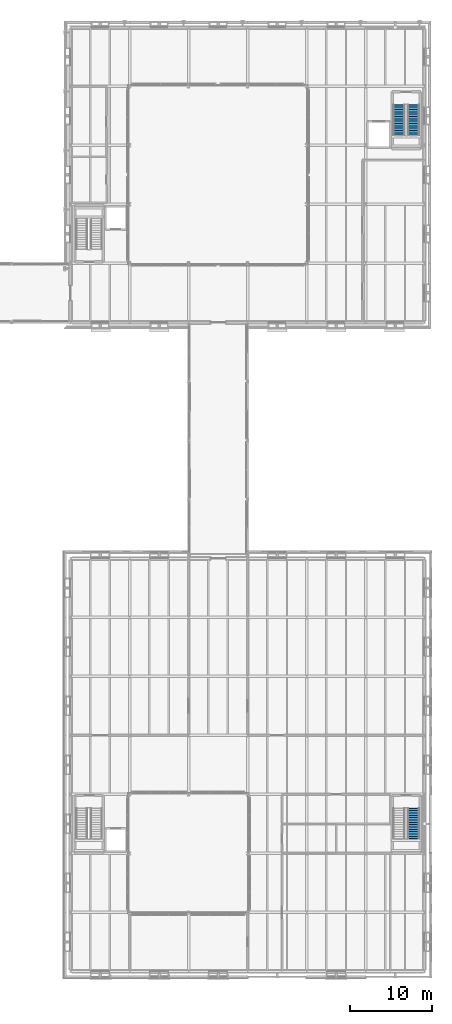
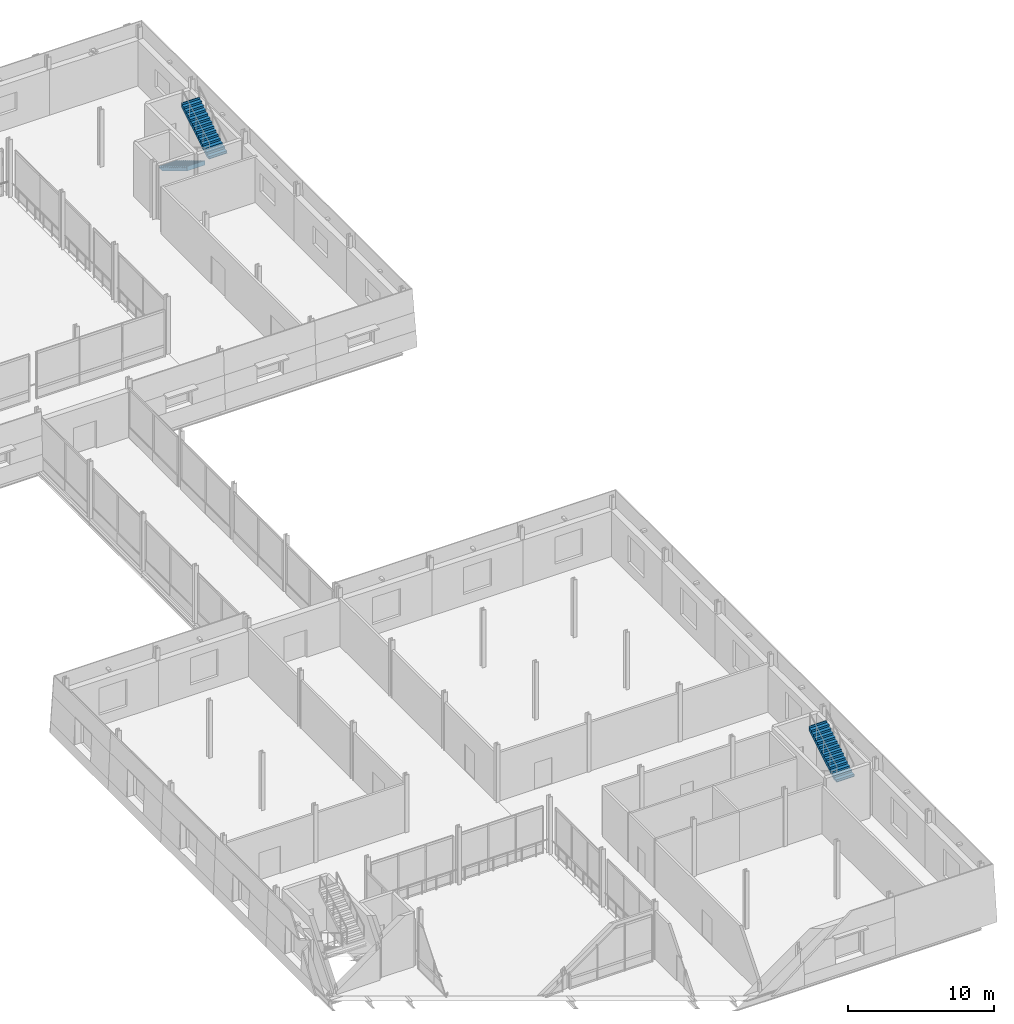
# One storey, part 89 of 121: 3 stair flights, 2 elements without a shape of their own.
"""IFC4 building model written with IfcOpenShell, lengths in metres."""

from ifc_helpers import new_model, si_unit, direction, frame, origin, place, context, subcontext, project, spatial, polyline, outline, extrude, material, type_object, element, aggregate, save


model = new_model("IFC4")

# Units and contexts
model_context = context("Model", 3, precision=1e-05, world=origin(), true_north=direction((0.0, 1.0)))
body_context = subcontext(model_context, "Body", "Model", "MODEL_VIEW")
ifc_project = project(units=[si_unit("LENGTHUNIT", "METRE"), si_unit("AREAUNIT", "SQUARE_METRE"), si_unit("VOLUMEUNIT", "CUBIC_METRE"), si_unit("PLANEANGLEUNIT", "RADIAN"), si_unit("MASSUNIT", "GRAM", prefix="KILO")], contexts=[model_context])

# Site, building, storey
site_placement = place(None, origin())
site = spatial("IfcSite", under=ifc_project, at=site_placement, CompositionType="ELEMENT")
building_placement = place(site_placement, origin())
building = spatial("IfcBuilding", under=site, at=building_placement, Name="Narikvali Park Central Library", CompositionType="ELEMENT")
storey_placement = place(building_placement, frame((0.0, 0.0, 5.39990234375)))
storey = spatial("IfcBuildingStorey", under=building, at=storey_placement, Name="L01", CompositionType="ELEMENT", Elevation=5.39990234375)

# Stair, stair flights
ifc_material_1 = material(Name="Concrete C35/45", Category="concrete")
stair_type = type_object("IfcStairType", Name="Core Enclosed Two-Flight Exit Stair", PredefinedType="HALF_TURN_STAIR", material=ifc_material_1)
stair_1_placement = place(storey_placement, origin())
stair_1 = element("IfcStair", 1, at=stair_1_placement, inside=storey, type_object=stair_type, Name="L01 Exit Stair ST-06", PredefinedType="HALF_TURN_STAIR")
ifc_material_2 = material(Name="Precast concrete C40/50", Category="concrete")
stair_flight_type = type_object("IfcStairFlightType", Name="Precast Concrete Stair Flight 1420", PredefinedType="STRAIGHT", material=ifc_material_2)
stair_flight_1_placement = place(storey_placement, frame((162.4599609375, 105.75, 0.0), z_axis=(0.0, 0.0, 1.0), x_axis=(0.0, -1.0, 0.0)))
stair_flight_1 = element("IfcStairFlight", 2, at=stair_flight_1_placement, type_object=stair_flight_type, Name="ST-06 flight 1", NumberOfRisers=14, NumberOfTreads=13, PredefinedType="STRAIGHT", RiserHeight=0.171428571, TreadLength=0.285, context=body_context, shape_type="SweptSolid", body=[
    extrude(outline(polyline([(-0.0400390625, -0.02490234375), (-0.0400390625, 0.0), (0.0, 0.0), (0.0, 0.17138671875), (0.284912109375, 0.17138671875), (0.284912109375, 0.3427734375), (0.570068359375, 0.3427734375), (0.570068359375, 0.514404296875), (0.85498046875, 0.514404296875), (0.85498046875, 0.685791015625), (1.139892578125, 0.685791015625), (1.139892578125, 0.857177734375), (1.425048828125, 0.857177734375), (1.425048828125, 1.028564453125), (1.7099609375, 1.028564453125), (1.7099609375, 1.199951171875), (1.9951171875, 1.199951171875), (1.9951171875, 1.371337890625), (2.280029296875, 1.371337890625), (2.280029296875, 1.54296875), (2.56494140625, 1.54296875), (2.56494140625, 1.71435546875), (2.85009765625, 1.71435546875), (2.85009765625, 1.8857421875), (3.135009765625, 1.8857421875), (3.135009765625, 2.05712890625), (3.419921875, 2.05712890625), (3.419921875, 2.228515625), (3.705078125, 2.228515625), (3.705078125, 2.39990234375), (3.75, 2.39990234375), (3.75, 2.0185546875), (3.705078125, 2.0185546875), (0.34912109375, -0.02490234375), (-0.0400390625, -0.02490234375)])), frame((0.0, 0.7099609375, 0.0), z_axis=(0.0, -1.0, 0.0), x_axis=(1.0, 0.0, 0.0)), (0.0, 0.0, 1.0), 1.419921875),
])
stair_flight_2_placement = place(storey_placement, frame((164.239990234375, 102.044921875, 2.400146484375), z_axis=(0.0, 0.0, 1.0), x_axis=(0.0, 1.0, 0.0)))
stair_flight_2 = element("IfcStairFlight", 3, at=stair_flight_2_placement, type_object=stair_flight_type, Name="ST-06 flight 2", NumberOfRisers=14, NumberOfTreads=13, PredefinedType="STRAIGHT", RiserHeight=0.171428571, TreadLength=0.285, context=body_context, shape_type="SweptSolid", body=[
    extrude(outline(polyline([(-0.0400390625, -0.02490234375), (-0.0400390625, 0.0), (0.0, 0.0), (0.0, 0.17138671875), (0.284912109375, 0.17138671875), (0.284912109375, 0.3427734375), (0.570068359375, 0.3427734375), (0.570068359375, 0.514404296875), (0.85498046875, 0.514404296875), (0.85498046875, 0.685791015625), (1.139892578125, 0.685791015625), (1.139892578125, 0.857177734375), (1.425048828125, 0.857177734375), (1.425048828125, 1.028564453125), (1.7099609375, 1.028564453125), (1.7099609375, 1.199951171875), (1.9951171875, 1.199951171875), (1.9951171875, 1.371337890625), (2.280029296875, 1.371337890625), (2.280029296875, 1.54296875), (2.56494140625, 1.54296875), (2.56494140625, 1.71435546875), (2.85009765625, 1.71435546875), (2.85009765625, 1.8857421875), (3.135009765625, 1.8857421875), (3.135009765625, 2.05712890625), (3.419921875, 2.05712890625), (3.419921875, 2.228515625), (3.705078125, 2.228515625), (3.705078125, 2.39990234375), (3.75, 2.39990234375), (3.75, 2.0185546875), (3.705078125, 2.0185546875), (0.34912109375, -0.02490234375), (-0.0400390625, -0.02490234375)])), frame((0.0, 0.7099609375, 0.0), z_axis=(0.0, -1.0, 0.0), x_axis=(1.0, 0.0, 0.0)), (0.0, 0.0, 1.0), 1.419921875),
])
aggregate(stair_1, [stair_flight_1, stair_flight_2])

# Stair, stair flight
stair_2_placement = place(storey_placement, origin())
stair_2 = element("IfcStair", 4, at=stair_2_placement, inside=storey, type_object=stair_type, Name="L01 Exit Stair ST-12", PredefinedType="HALF_TURN_STAIR")
stair_flight_3_placement = place(storey_placement, frame((164.239990234375, 16.195068359375, 2.400146484375), z_axis=(0.0, 0.0, 1.0), x_axis=(0.0, 1.0, 0.0)))
stair_flight_3 = element("IfcStairFlight", 5, at=stair_flight_3_placement, type_object=stair_flight_type, Name="ST-12 flight 2", NumberOfRisers=14, NumberOfTreads=13, PredefinedType="STRAIGHT", RiserHeight=0.171428571, TreadLength=0.285, context=body_context, shape_type="SweptSolid", body=[
    extrude(outline(polyline([(-0.0400390625, -0.02490234375), (-0.0400390625, 0.0), (0.0, 0.0), (0.0, 0.17138671875), (0.284912109375, 0.17138671875), (0.284912109375, 0.3427734375), (0.570068359375, 0.3427734375), (0.570068359375, 0.514404296875), (0.85498046875, 0.514404296875), (0.85498046875, 0.685791015625), (1.139892578125, 0.685791015625), (1.139892578125, 0.857177734375), (1.425048828125, 0.857177734375), (1.425048828125, 1.028564453125), (1.7099609375, 1.028564453125), (1.7099609375, 1.199951171875), (1.9951171875, 1.199951171875), (1.9951171875, 1.371337890625), (2.280029296875, 1.371337890625), (2.280029296875, 1.54296875), (2.56494140625, 1.54296875), (2.56494140625, 1.71435546875), (2.85009765625, 1.71435546875), (2.85009765625, 1.8857421875), (3.135009765625, 1.8857421875), (3.135009765625, 2.05712890625), (3.419921875, 2.05712890625), (3.419921875, 2.228515625), (3.705078125, 2.228515625), (3.705078125, 2.39990234375), (3.75, 2.39990234375), (3.75, 2.0185546875), (3.705078125, 2.0185546875), (0.34912109375, -0.02490234375), (-0.0400390625, -0.02490234375)])), frame((0.0, 0.7099609375, 0.0), z_axis=(0.0, -1.0, 0.0), x_axis=(1.0, 0.0, 0.0)), (0.0, 0.0, 1.0), 1.419921875),
])
aggregate(stair_2, [stair_flight_3])

save(model, "model.ifc")
